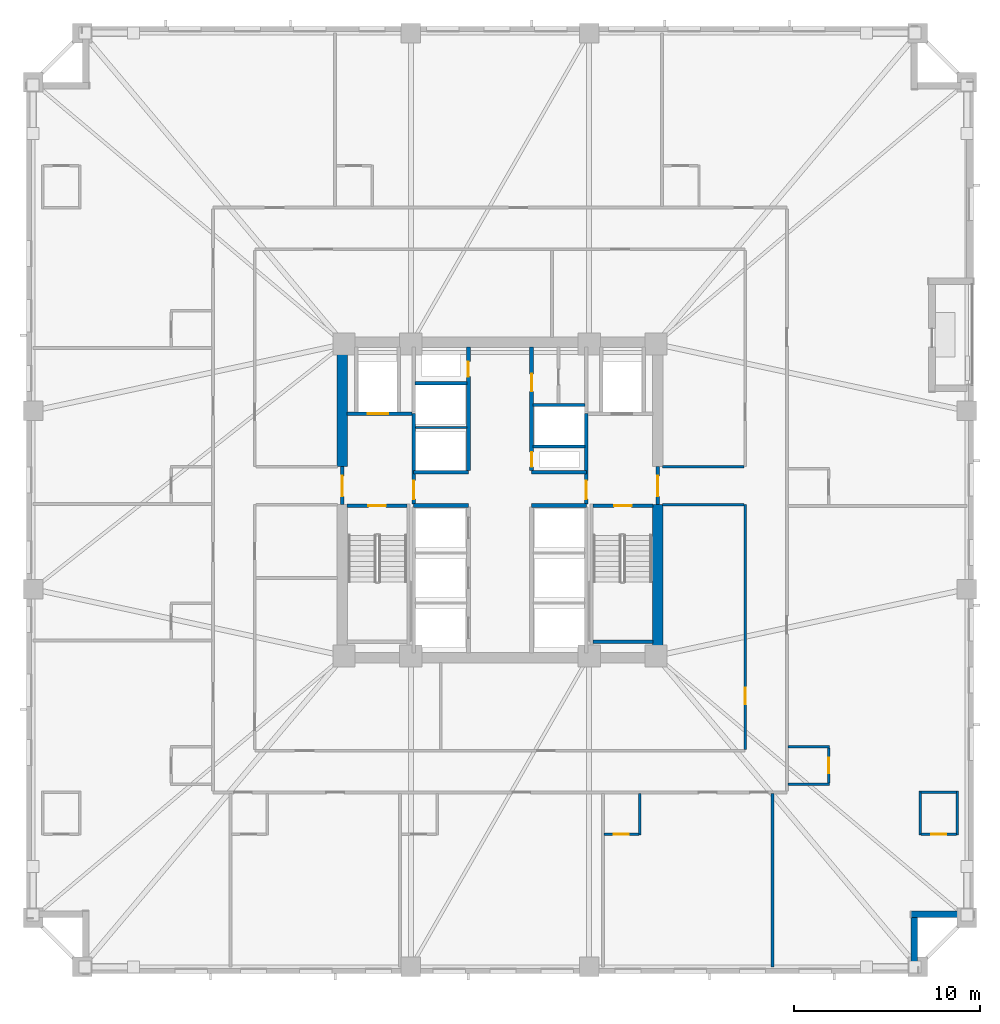
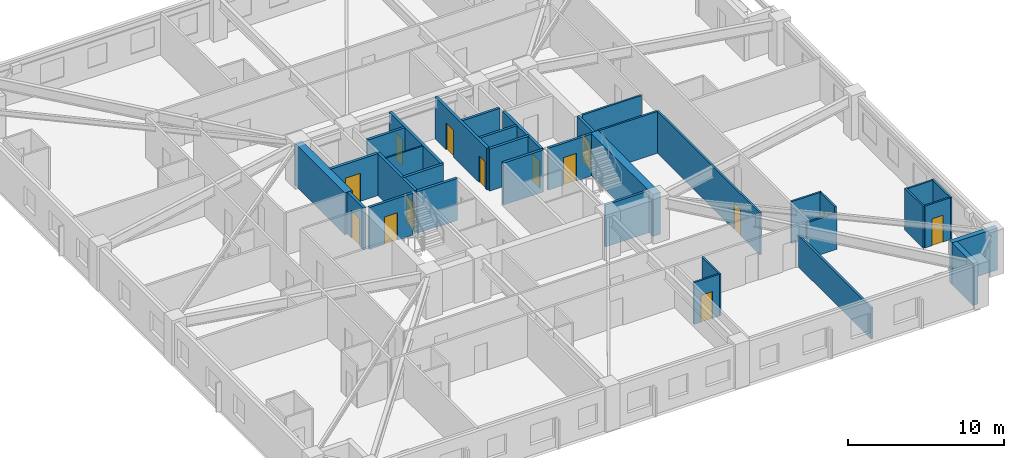
# One storey, part 4 of 11: 35 walls, 14 doors, 14 openings.
"""IFC4 building model written with IfcOpenShell, lengths in metres."""

from ifc_helpers import new_model, si_unit, direction, frame, frame_2d, origin, place, context, subcontext, project, spatial, rectangle, extrude, material, layer, layer_set, type_object, element, fill, save


model = new_model("IFC4")

# Units and contexts
model_context = context("Model", 3, precision=1e-05, world=origin(), true_north=direction((0.0, 1.0)))
body_context = subcontext(model_context, "Body", "Model", "MODEL_VIEW")
ifc_project = project(units=[si_unit("LENGTHUNIT", "METRE"), si_unit("AREAUNIT", "SQUARE_METRE"), si_unit("VOLUMEUNIT", "CUBIC_METRE"), si_unit("PLANEANGLEUNIT", "RADIAN"), si_unit("MASSUNIT", "GRAM", prefix="KILO")], contexts=[model_context])

# Site, building, storey
site_placement = place(None, origin())
site = spatial("IfcSite", under=ifc_project, at=site_placement, CompositionType="ELEMENT")
building_placement = place(site_placement, origin())
building = spatial("IfcBuilding", under=site, at=building_placement, Name="Cairnveth Concourse Tower", CompositionType="ELEMENT")
storey_placement = place(building_placement, frame((0.0, 0.0, 79.5)))
storey = spatial("IfcBuildingStorey", under=building, at=storey_placement, Name="L21", CompositionType="ELEMENT", Elevation=79.5)

# Walls
ifc_material_1 = material(Name="Gypsum Plasterboard Partition", Category="gypsum")
ifc_layer_1 = layer(ifc_material_1, 0.159912109375)
ifc_layer_set_1 = layer_set([ifc_layer_1], Name="Gypsum Plasterboard Partition")
wall_type_1 = type_object("IfcWallType", Name="ACOUSTIC PARTY WALL 180", PredefinedType="PARTITIONING", material=ifc_layer_set_1)
wall_1_placement = place(storey_placement, frame((66.68798828125, 13.844970703125, 0.0), z_axis=(0.0, 0.0, 1.0), x_axis=(0.0, 1.0, 0.0)))
element("IfcWall", 1, at=wall_1_placement, inside=storey, type_object=wall_type_1, Name="Interior Wall IW-L21-068", PredefinedType="PARTITIONING", context=body_context, shape_type="SweptSolid", body=[
    extrude(rectangle(XDim=9.340087890625, YDim=0.159912109375, at=frame_2d((4.669921875, 0.0))), origin(), (0.0, 0.0, 1.0), 2.43896484375),
])
ifc_material_2 = material(Name="Concrete N80 (80 MPa)", Category="concrete")
ifc_layer_2 = layer(ifc_material_2, 0.550048828125)
ifc_layer_set_2 = layer_set([ifc_layer_2], Name="Concrete N80 (80 MPa)")
wall_type_2 = type_object("IfcWallType", Name="CORE SHEAR WALL 550", PredefinedType="SHEAR", material=ifc_layer_set_2)
wall_2_placement = place(storey_placement, frame((43.5, 40.800048828125, 0.0), z_axis=(0.0, 0.0, 1.0), x_axis=(0.0, 1.0, 0.0)))
element("IfcWall", 2, at=wall_2_placement, inside=storey, type_object=wall_type_2, Name="Core West Shear Wall N L21", PredefinedType="SHEAR", context=body_context, shape_type="SweptSolid", body=[
    extrude(rectangle(XDim=6.43505859375, YDim=0.550048828125, at=frame_2d((3.217529296875, 0.0))), origin(), (0.0, 0.0, 1.0), 3.280029296875),
])
wall_3_placement = place(storey_placement, frame((60.5, 30.764892578125, 0.0), z_axis=(0.0, 0.0, 1.0), x_axis=(0.0, 1.0, 0.0)))
element("IfcWall", 3, at=wall_3_placement, inside=storey, type_object=wall_type_2, Name="Core East Shear Wall S L21", PredefinedType="SHEAR", context=body_context, shape_type="SweptSolid", body=[
    extrude(rectangle(XDim=7.985107421875, YDim=0.550048828125, at=frame_2d((3.99267578125, 0.0))), origin(), (0.0, 0.0, 1.0), 3.280029296875),
])
ifc_material_3 = material(Name="Concrete N50 (50 MPa)", Category="concrete")
ifc_layer_3 = layer(ifc_material_3, 0.179931640625)
ifc_layer_set_3 = layer_set([ifc_layer_3], Name="Concrete N50 (50 MPa)")
wall_type_3 = type_object("IfcWallType", Name="FIRE SHAFT WALL 180", PredefinedType="SOLIDWALL", material=ifc_layer_set_3)
wall_4_placement = place(storey_placement, frame((47.425048828125, 45.280029296875, 0.0), z_axis=(0.0, 0.0, 1.0), x_axis=(1.0, 0.0, 0.0)))
element("IfcWall", 4, at=wall_4_placement, inside=storey, type_object=wall_type_3, Name="Interior Wall IW-L21-033", PredefinedType="SOLIDWALL", context=body_context, shape_type="SweptSolid", body=[
    extrude(rectangle(XDim=2.7900390625, YDim=0.179931640625, at=frame_2d((1.39501953125, 0.0))), origin(), (0.0, 0.0, 1.0), 3.280029296875),
])
wall_5_placement = place(storey_placement, frame((53.784912109375, 41.8798828125, 0.0), z_axis=(0.0, 0.0, 1.0), x_axis=(1.0, 0.0, 0.0)))
element("IfcWall", 5, at=wall_5_placement, inside=storey, type_object=wall_type_3, Name="Interior Wall IW-L21-035", PredefinedType="SOLIDWALL", context=body_context, shape_type="SweptSolid", body=[
    extrude(rectangle(XDim=2.780029296875, YDim=0.179931640625, at=frame_2d((1.39013671875, 0.0))), origin(), (0.0, 0.0, 1.0), 3.280029296875),
])
wall_6_placement = place(storey_placement, frame((53.784912109375, 44.1201171875, 0.0), z_axis=(0.0, 0.0, 1.0), x_axis=(1.0, 0.0, 0.0)))
element("IfcWall", 6, at=wall_6_placement, inside=storey, type_object=wall_type_3, Name="Interior Wall IW-L21-036", PredefinedType="SOLIDWALL", context=body_context, shape_type="SweptSolid", body=[
    extrude(rectangle(XDim=2.7900390625, YDim=0.179931640625, at=frame_2d((1.39501953125, 0.0))), origin(), (0.0, 0.0, 1.0), 3.280029296875),
])

# Wall, opening, door
wall_7_placement = place(storey_placement, frame((43.764892578125, 38.68994140625, 0.0), z_axis=(0.0, 0.0, 1.0), x_axis=(1.0, 0.0, 0.0)))
wall_7 = element("IfcWall", 7, at=wall_7_placement, inside=storey, type_object=wall_type_3, Name="Stair ST-1 Shaft Wall NEAR L21", PredefinedType="SOLIDWALL", context=body_context, shape_type="SweptSolid", body=[
    extrude(rectangle(XDim=3.230224609375, YDim=0.179931640625, at=frame_2d((1.615234375, 0.0))), origin(), (0.0, 0.0, 1.0), 3.280029296875),
])
opening_1_placement = place(wall_7_placement, frame((1.139892578125, 0.0, 0.0)))
opening_1 = element("IfcOpeningElement", 8, at=opening_1_placement, cuts=wall_7, Name="Opening ID12", PredefinedType="OPENING", context=body_context, shape_type="SweptSolid", body=[
    extrude(rectangle(XDim=0.949951171875, YDim=2.14990234375, at=frame_2d((0.47509765625, 1.074951171875))), frame((0.0, 0.099853515625, 0.0), z_axis=(0.0, -1.0, 0.0), x_axis=(1.0, 0.0, 0.0)), (0.0, 0.0, 1.0), 0.199951171875),
])
ifc_material_4 = material(Name="Steel Grade 350", Category="steel")
door_type_1 = type_object("IfcDoorType", Name="FIRE STAIR DOOR 950X2150", OperationType="NOTDEFINED", PredefinedType="DOOR", material=ifc_material_4)
door_1_placement = place(opening_1_placement, origin())
door_1 = element("IfcDoor", 9, at=door_1_placement, inside=storey, type_object=door_type_1, Name="Stair ST-1 Fire Door L21", OperationType="SINGLE_SWING_LEFT", OverallHeight=2.14990234375, OverallWidth=0.949951171875, PredefinedType="DOOR", context=body_context, shape_type="SweptSolid", body=[
    extrude(rectangle(XDim=0.949951171875, YDim=2.14990234375, at=frame_2d((0.47509765625, 1.074951171875))), frame((0.0, 0.02490234375, 0.0), z_axis=(0.0, -1.0, 0.0), x_axis=(1.0, 0.0, 0.0)), (0.0, 0.0, 1.0), 0.050048828125),
])
fill(opening_1, door_1)

wall_8_placement = place(storey_placement, frame((57.0048828125, 38.68994140625, 0.0), z_axis=(0.0, 0.0, 1.0), x_axis=(1.0, 0.0, 0.0)))
wall_8 = element("IfcWall", 10, at=wall_8_placement, inside=storey, type_object=wall_type_3, Name="Stair ST-2 Shaft Wall NEAR L21", PredefinedType="SOLIDWALL", context=body_context, shape_type="SweptSolid", body=[
    extrude(rectangle(XDim=3.230224609375, YDim=0.179931640625, at=frame_2d((1.615234375, 0.0))), origin(), (0.0, 0.0, 1.0), 3.280029296875),
])
opening_2_placement = place(wall_8_placement, frame((1.139892578125, 0.0, 0.0)))
opening_2 = element("IfcOpeningElement", 11, at=opening_2_placement, cuts=wall_8, Name="Opening ID12", PredefinedType="OPENING", context=body_context, shape_type="SweptSolid", body=[
    extrude(rectangle(XDim=0.949951171875, YDim=2.14990234375, at=frame_2d((0.47509765625, 1.074951171875))), frame((0.0, 0.099853515625, 0.0), z_axis=(0.0, -1.0, 0.0), x_axis=(1.0, 0.0, 0.0)), (0.0, 0.0, 1.0), 0.199951171875),
])
door_2_placement = place(opening_2_placement, origin())
door_2 = element("IfcDoor", 12, at=door_2_placement, inside=storey, type_object=door_type_1, Name="Stair ST-2 Fire Door L21", OperationType="SINGLE_SWING_RIGHT", OverallHeight=2.14990234375, OverallWidth=0.949951171875, PredefinedType="DOOR", context=body_context, shape_type="SweptSolid", body=[
    extrude(rectangle(XDim=0.949951171875, YDim=2.14990234375, at=frame_2d((0.47509765625, 1.074951171875))), frame((0.0, 0.02490234375, 0.0), z_axis=(0.0, -1.0, 0.0), x_axis=(1.0, 0.0, 0.0)), (0.0, 0.0, 1.0), 0.050048828125),
])
fill(opening_2, door_2)

# Walls
wall_9_placement = place(storey_placement, frame((57.0048828125, 31.360107421875, 0.0), z_axis=(0.0, 0.0, 1.0), x_axis=(1.0, 0.0, 0.0)))
element("IfcWall", 13, at=wall_9_placement, inside=storey, type_object=wall_type_3, Name="Stair ST-2 Shaft Wall FAR L21", PredefinedType="SOLIDWALL", context=body_context, shape_type="SweptSolid", body=[
    extrude(rectangle(XDim=3.230224609375, YDim=0.179931640625, at=frame_2d((1.615234375, 0.0))), origin(), (0.0, 0.0, 1.0), 3.280029296875),
])
ifc_layer_4 = layer(ifc_material_3, 0.199951171875)
ifc_layer_set_4 = layer_set([ifc_layer_4], Name="Concrete N50 (50 MPa)")
wall_type_4 = type_object("IfcWallType", Name="FIRE SHAFT WALL 200", PredefinedType="SOLIDWALL", material=ifc_layer_set_4)
for number, where, z_axis, x_axis, name in (
    (14, (47.35009765625, 38.699951171875, 0.0), (0.0, 0.0, 1.0), (1.0, 0.0, 0.0), "Interior Wall IW-L21-007"),
    (15, (47.35009765625, 40.5, 0.0), (0.0, 0.0, 1.0), (1.0, 0.0, 0.0), "Interior Wall IW-L21-008"),
    (16, (53.699951171875, 38.699951171875, 0.0), (0.0, 0.0, 1.0), (1.0, 0.0, 0.0), "Interior Wall IW-L21-009"),
    (17, (53.699951171875, 40.5, 0.0), (0.0, 0.0, 1.0), (1.0, 0.0, 0.0), "Interior Wall IW-L21-010"),
):
    element("IfcWall", number, at=place(storey_placement, frame(where, z_axis=z_axis, x_axis=x_axis)), inside=storey, type_object=wall_type_4, Name=name, PredefinedType="SOLIDWALL", context=body_context, shape_type="SweptSolid", body=[
        extrude(rectangle(XDim=2.949951171875, YDim=0.199951171875, at=frame_2d((1.47509765625, 0.0))), origin(), (0.0, 0.0, 1.0), 3.280029296875),
    ])

# Wall, opening, door
wall_10_placement = place(storey_placement, frame((50.300048828125, 40.5849609375, 0.0), z_axis=(0.0, 0.0, 1.0), x_axis=(0.0, 1.0, 0.0)))
wall_10 = element("IfcWall", 18, at=wall_10_placement, inside=storey, type_object=wall_type_4, Name="Interior Wall IW-L21-013", PredefinedType="SOLIDWALL", context=body_context, shape_type="SweptSolid", body=[
    extrude(rectangle(XDim=6.655029296875, YDim=0.199951171875, at=frame_2d((3.32763671875, 0.0))), origin(), (0.0, 0.0, 1.0), 3.280029296875),
])
opening_3_placement = place(wall_10_placement, frame((5.06494140625, 0.0, 0.0)))
opening_3 = element("IfcOpeningElement", 19, at=opening_3_placement, cuts=wall_10, Name="Opening ID24", PredefinedType="OPENING", context=body_context, shape_type="SweptSolid", body=[
    extrude(rectangle(XDim=0.800048828125, YDim=2.080078125, at=frame_2d((0.39990234375, 1.0400390625))), frame((0.0, 0.10986328125, 0.0), z_axis=(0.0, -1.0, 0.0), x_axis=(1.0, 0.0, 0.0)), (0.0, 0.0, 1.0), 0.219970703125),
])
door_type_2 = type_object("IfcDoorType", Name="RISER ACCESS DOOR 800X2100", OperationType="NOTDEFINED", PredefinedType="DOOR", material=ifc_material_4)
door_3_placement = place(opening_3_placement, origin())
door_3 = element("IfcDoor", 20, at=door_3_placement, inside=storey, type_object=door_type_2, Name="NW Electrical Riser Access Door L21", OperationType="SINGLE_SWING_RIGHT", OverallHeight=2.080078125, OverallWidth=0.800048828125, PredefinedType="DOOR", context=body_context, shape_type="SweptSolid", body=[
    extrude(rectangle(XDim=0.800048828125, YDim=2.080078125, at=frame_2d((0.39990234375, 1.0400390625))), frame((0.0, 0.02490234375, 0.0), z_axis=(0.0, -1.0, 0.0), x_axis=(1.0, 0.0, 0.0)), (0.0, 0.0, 1.0), 0.050048828125),
])
fill(opening_3, door_3)

# Wall, openings, doors
wall_11_placement = place(storey_placement, frame((53.699951171875, 40.5849609375, 0.0), z_axis=(0.0, 0.0, 1.0), x_axis=(0.0, 1.0, 0.0)))
wall_11 = element("IfcWall", 21, at=wall_11_placement, inside=storey, type_object=wall_type_4, Name="Interior Wall IW-L21-014", PredefinedType="SOLIDWALL", context=body_context, shape_type="SweptSolid", body=[
    extrude(rectangle(XDim=6.655029296875, YDim=0.199951171875, at=frame_2d((3.32763671875, 0.0))), origin(), (0.0, 0.0, 1.0), 3.280029296875),
])
opening_4_placement = place(wall_11_placement, frame((0.195068359375, 0.0, 0.0)))
opening_4 = element("IfcOpeningElement", 22, at=opening_4_placement, cuts=wall_11, Name="Opening ID24", PredefinedType="OPENING", context=body_context, shape_type="SweptSolid", body=[
    extrude(rectangle(XDim=0.800048828125, YDim=2.080078125, at=frame_2d((0.39990234375, 1.0400390625))), frame((0.0, 0.10986328125, 0.0), z_axis=(0.0, -1.0, 0.0), x_axis=(1.0, 0.0, 0.0)), (0.0, 0.0, 1.0), 0.219970703125),
])
opening_5_placement = place(wall_11_placement, frame((4.264892578125, 0.0, 0.0)))
opening_5 = element("IfcOpeningElement", 23, at=opening_5_placement, cuts=wall_11, Name="Opening ID25", PredefinedType="OPENING", context=body_context, shape_type="SweptSolid", body=[
    extrude(rectangle(XDim=0.949951171875, YDim=2.1201171875, at=frame_2d((0.47509765625, 1.06005859375))), frame((0.0, 0.10986328125, 0.0), z_axis=(0.0, -1.0, 0.0), x_axis=(1.0, 0.0, 0.0)), (0.0, 0.0, 1.0), 0.219970703125),
])
door_type_3 = type_object("IfcDoorType", Name="CORE ACCESSIBLE FIRE DOOR 950X2120", OperationType="NOTDEFINED", PredefinedType="DOOR", material=ifc_material_4)
door_4_placement = place(opening_5_placement, origin())
door_4 = element("IfcDoor", 24, at=door_4_placement, inside=storey, type_object=door_type_3, Name="Core NE Restroom Door L21", OperationType="SINGLE_SWING_RIGHT", OverallHeight=2.1201171875, OverallWidth=0.949951171875, PredefinedType="DOOR", context=body_context, shape_type="SweptSolid", body=[
    extrude(rectangle(XDim=0.949951171875, YDim=2.1201171875, at=frame_2d((0.47509765625, 1.06005859375))), frame((0.0, 0.02490234375, 0.0), z_axis=(0.0, -1.0, 0.0), x_axis=(1.0, 0.0, 0.0)), (0.0, 0.0, 1.0), 0.050048828125),
])
fill(opening_5, door_4)
door_5_placement = place(opening_4_placement, origin())
door_5 = element("IfcDoor", 25, at=door_5_placement, inside=storey, type_object=door_type_2, Name="Hydraulic Riser Door L21", OperationType="SINGLE_SWING_LEFT", OverallHeight=2.080078125, OverallWidth=0.800048828125, PredefinedType="DOOR", context=body_context, shape_type="SweptSolid", body=[
    extrude(rectangle(XDim=0.800048828125, YDim=2.080078125, at=frame_2d((0.39990234375, 1.0400390625))), frame((0.0, 0.02490234375, 0.0), z_axis=(0.0, -1.0, 0.0), x_axis=(1.0, 0.0, 0.0)), (0.0, 0.0, 1.0), 0.050048828125),
])
fill(opening_4, door_5)

# Wall, opening, door
wall_12_placement = place(storey_placement, frame((43.5, 38.75, 0.0), z_axis=(0.0, 0.0, 1.0), x_axis=(0.0, 1.0, 0.0)))
wall_12 = element("IfcWall", 26, at=wall_12_placement, inside=storey, type_object=wall_type_4, Name="Interior Wall IW-L21-015", PredefinedType="SOLIDWALL", context=body_context, shape_type="SweptSolid", body=[
    extrude(rectangle(XDim=2.050048828125, YDim=0.199951171875, at=frame_2d((1.02490234375, 0.0))), origin(), (0.0, 0.0, 1.0), 3.280029296875),
])
opening_6_placement = place(wall_12_placement, frame((0.449951171875, 0.0, 0.0)))
opening_6 = element("IfcOpeningElement", 27, at=opening_6_placement, cuts=wall_12, Name="Opening ID06", PredefinedType="OPENING", context=body_context, shape_type="SweptSolid", body=[
    extrude(rectangle(XDim=1.10009765625, YDim=2.14990234375, at=frame_2d((0.550048828125, 1.074951171875))), frame((0.0, 0.10986328125, 0.0), z_axis=(0.0, -1.0, 0.0), x_axis=(1.0, 0.0, 0.0)), (0.0, 0.0, 1.0), 0.219970703125),
])
door_type_4 = type_object("IfcDoorType", Name="FIRE CORRIDOR DOOR 1100X2150", OperationType="NOTDEFINED", PredefinedType="DOOR", material=ifc_material_4)
door_6_placement = place(opening_6_placement, origin())
door_6 = element("IfcDoor", 28, at=door_6_placement, inside=storey, type_object=door_type_4, Name="West Wing to FF Lobby Door L21", OperationType="SINGLE_SWING_LEFT", OverallHeight=2.14990234375, OverallWidth=1.10009765625, PredefinedType="DOOR", context=body_context, shape_type="SweptSolid", body=[
    extrude(rectangle(XDim=1.10009765625, YDim=2.14990234375, at=frame_2d((0.550048828125, 1.074951171875))), frame((0.0, 0.02490234375, 0.0), z_axis=(0.0, -1.0, 0.0), x_axis=(1.0, 0.0, 0.0)), (0.0, 0.0, 1.0), 0.050048828125),
])
fill(opening_6, door_6)

wall_13_placement = place(storey_placement, frame((47.35009765625, 38.784912109375, 0.0), z_axis=(0.0, 0.0, 1.0), x_axis=(0.0, 1.0, 0.0)))
wall_13 = element("IfcWall", 29, at=wall_13_placement, inside=storey, type_object=wall_type_4, Name="Interior Wall IW-L21-016", PredefinedType="SOLIDWALL", context=body_context, shape_type="SweptSolid", body=[
    extrude(rectangle(XDim=4.864990234375, YDim=0.199951171875, at=frame_2d((2.4326171875, 0.0))), origin(), (0.0, 0.0, 1.0), 3.280029296875),
])
opening_7_placement = place(wall_13_placement, frame((0.264892578125, 0.0, 0.0)))
opening_7 = element("IfcOpeningElement", 30, at=opening_7_placement, cuts=wall_13, Name="Opening ID07", PredefinedType="OPENING", context=body_context, shape_type="SweptSolid", body=[
    extrude(rectangle(XDim=1.0, YDim=2.14990234375, at=frame_2d((0.5, 1.074951171875))), frame((0.0, 0.10986328125, 0.0), z_axis=(0.0, -1.0, 0.0), x_axis=(1.0, 0.0, 0.0)), (0.0, 0.0, 1.0), 0.219970703125),
])
door_type_5 = type_object("IfcDoorType", Name="FIRE CORRIDOR DOOR 1000X2150", OperationType="NOTDEFINED", PredefinedType="DOOR", material=ifc_material_4)
door_7_placement = place(opening_7_placement, origin())
door_7 = element("IfcDoor", 31, at=door_7_placement, inside=storey, type_object=door_type_5, Name="FF Lobby West to Lift Lobby Door L21", OperationType="SINGLE_SWING_RIGHT", OverallHeight=2.14990234375, OverallWidth=1.0, PredefinedType="DOOR", context=body_context, shape_type="SweptSolid", body=[
    extrude(rectangle(XDim=1.0, YDim=2.14990234375, at=frame_2d((0.5, 1.074951171875))), frame((0.0, 0.02490234375, 0.0), z_axis=(0.0, -1.0, 0.0), x_axis=(1.0, 0.0, 0.0)), (0.0, 0.0, 1.0), 0.050048828125),
])
fill(opening_7, door_7)

wall_14_placement = place(storey_placement, frame((43.760009765625, 43.64990234375, 0.0), z_axis=(0.0, 0.0, 1.0), x_axis=(1.0, 0.0, 0.0)))
wall_14 = element("IfcWall", 32, at=wall_14_placement, inside=storey, type_object=wall_type_4, Name="Interior Wall IW-L21-017", PredefinedType="SOLIDWALL", context=body_context, shape_type="SweptSolid", body=[
    extrude(rectangle(XDim=3.5048828125, YDim=0.199951171875, at=frame_2d((1.75244140625, 0.0))), origin(), (0.0, 0.0, 1.0), 3.280029296875),
])
opening_8_placement = place(wall_14_placement, frame((1.110107421875, 0.0, 0.0)))
opening_8 = element("IfcOpeningElement", 33, at=opening_8_placement, cuts=wall_14, Name="Opening LD-1", PredefinedType="OPENING", context=body_context, shape_type="SweptSolid", body=[
    extrude(rectangle(XDim=1.10009765625, YDim=2.199951171875, at=frame_2d((0.550048828125, 1.10009765625))), frame((0.0, 0.10986328125, 0.0), z_axis=(0.0, -1.0, 0.0), x_axis=(1.0, 0.0, 0.0)), (0.0, 0.0, 1.0), 0.219970703125),
])
ifc_material_5 = material(Name="Architectural Bronze Anodised Aluminium 6063-T6", Category="aluminium")
door_type_6 = type_object("IfcDoorType", Name="LIFT LANDING DOOR 1100X2200", OperationType="SLIDING_TO_LEFT", PredefinedType="DOOR", material=ifc_material_5)
door_8_placement = place(opening_8_placement, origin())
door_8 = element("IfcDoor", 34, at=door_8_placement, inside=storey, type_object=door_type_6, Name="Lift FFL1 Landing Door L21", OperationType="SLIDING_TO_LEFT", OverallHeight=2.199951171875, OverallWidth=1.10009765625, PredefinedType="DOOR", context=body_context, shape_type="SweptSolid", body=[
    extrude(rectangle(XDim=1.10009765625, YDim=2.199951171875, at=frame_2d((0.550048828125, 1.10009765625))), frame((0.0, 0.02490234375, 0.0), z_axis=(0.0, -1.0, 0.0), x_axis=(1.0, 0.0, 0.0)), (0.0, 0.0, 1.0), 0.050048828125),
])
fill(opening_8, door_8)

wall_15_placement = place(storey_placement, frame((60.5, 38.75, 0.0), z_axis=(0.0, 0.0, 1.0), x_axis=(0.0, 1.0, 0.0)))
wall_15 = element("IfcWall", 35, at=wall_15_placement, inside=storey, type_object=wall_type_4, Name="Interior Wall IW-L21-020", PredefinedType="SOLIDWALL", context=body_context, shape_type="SweptSolid", body=[
    extrude(rectangle(XDim=2.050048828125, YDim=0.199951171875, at=frame_2d((1.02490234375, 0.0))), origin(), (0.0, 0.0, 1.0), 3.280029296875),
])
opening_9_placement = place(wall_15_placement, frame((0.449951171875, 0.0, 0.0)))
opening_9 = element("IfcOpeningElement", 36, at=opening_9_placement, cuts=wall_15, Name="Opening ID06", PredefinedType="OPENING", context=body_context, shape_type="SweptSolid", body=[
    extrude(rectangle(XDim=1.10009765625, YDim=2.14990234375, at=frame_2d((0.550048828125, 1.074951171875))), frame((0.0, 0.10986328125, 0.0), z_axis=(0.0, -1.0, 0.0), x_axis=(1.0, 0.0, 0.0)), (0.0, 0.0, 1.0), 0.219970703125),
])
door_9_placement = place(opening_9_placement, origin())
door_9 = element("IfcDoor", 37, at=door_9_placement, inside=storey, type_object=door_type_4, Name="East Wing to FF Lobby Door L21", OperationType="SINGLE_SWING_RIGHT", OverallHeight=2.14990234375, OverallWidth=1.10009765625, PredefinedType="DOOR", context=body_context, shape_type="SweptSolid", body=[
    extrude(rectangle(XDim=1.10009765625, YDim=2.14990234375, at=frame_2d((0.550048828125, 1.074951171875))), frame((0.0, 0.02490234375, 0.0), z_axis=(0.0, -1.0, 0.0), x_axis=(1.0, 0.0, 0.0)), (0.0, 0.0, 1.0), 0.050048828125),
])
fill(opening_9, door_9)

wall_16_placement = place(storey_placement, frame((56.64990234375, 38.784912109375, 0.0), z_axis=(0.0, 0.0, 1.0), x_axis=(0.0, 1.0, 0.0)))
wall_16 = element("IfcWall", 38, at=wall_16_placement, inside=storey, type_object=wall_type_4, Name="Interior Wall IW-L21-021", PredefinedType="SOLIDWALL", context=body_context, shape_type="SweptSolid", body=[
    extrude(rectangle(XDim=4.864990234375, YDim=0.199951171875, at=frame_2d((2.4326171875, 0.0))), origin(), (0.0, 0.0, 1.0), 3.280029296875),
])
opening_10_placement = place(wall_16_placement, frame((0.264892578125, 0.0, 0.0)))
opening_10 = element("IfcOpeningElement", 39, at=opening_10_placement, cuts=wall_16, Name="Opening ID07", PredefinedType="OPENING", context=body_context, shape_type="SweptSolid", body=[
    extrude(rectangle(XDim=1.0, YDim=2.14990234375, at=frame_2d((0.5, 1.074951171875))), frame((0.0, 0.10986328125, 0.0), z_axis=(0.0, -1.0, 0.0), x_axis=(1.0, 0.0, 0.0)), (0.0, 0.0, 1.0), 0.219970703125),
])
door_10_placement = place(opening_10_placement, origin())
door_10 = element("IfcDoor", 40, at=door_10_placement, inside=storey, type_object=door_type_5, Name="FF Lobby East to Lift Lobby Door L21", OperationType="SINGLE_SWING_LEFT", OverallHeight=2.14990234375, OverallWidth=1.0, PredefinedType="DOOR", context=body_context, shape_type="SweptSolid", body=[
    extrude(rectangle(XDim=1.0, YDim=2.14990234375, at=frame_2d((0.5, 1.074951171875))), frame((0.0, 0.02490234375, 0.0), z_axis=(0.0, -1.0, 0.0), x_axis=(1.0, 0.0, 0.0)), (0.0, 0.0, 1.0), 0.050048828125),
])
fill(opening_10, door_10)

ifc_layer_5 = layer(ifc_material_1, 0.139892578125)
ifc_layer_set_5 = layer_set([ifc_layer_5], Name="Gypsum Plasterboard Partition")
wall_type_5 = type_object("IfcWallType", Name="GYPSUM STUD PARTITION 140", PredefinedType="PARTITIONING", material=ifc_layer_set_5)
wall_17_placement = place(storey_placement, frame((65.199951171875, 25.554931640625, 0.0), z_axis=(0.0, 0.0, 1.0), x_axis=(0.0, 1.0, 0.0)))
wall_17 = element("IfcWall", 41, at=wall_17_placement, inside=storey, type_object=wall_type_5, Name="Interior Wall IW-L21-048", PredefinedType="PARTITIONING", context=body_context, shape_type="SweptSolid", body=[
    extrude(rectangle(XDim=13.195068359375, YDim=0.139892578125, at=frame_2d((6.59765625, 0.0))), origin(), (0.0, 0.0, 1.0), 3.280029296875),
])
opening_11_placement = place(wall_17_placement, frame((2.445068359375, 0.0, 0.0)))
opening_11 = element("IfcOpeningElement", 42, at=opening_11_placement, cuts=wall_17, Name="Opening ID18", PredefinedType="OPENING", context=body_context, shape_type="SweptSolid", body=[
    extrude(rectangle(XDim=0.8798828125, YDim=2.10009765625, at=frame_2d((0.43994140625, 1.050048828125))), frame((0.0, 0.079833984375, 0.0), z_axis=(0.0, -1.0, 0.0), x_axis=(1.0, 0.0, 0.0)), (0.0, 0.0, 1.0), 0.159912109375),
])
ifc_material_6 = material(Name="Solid Core Hardwood Timber Leaf", Category="wood")
door_type_7 = type_object("IfcDoorType", Name="INTERIOR SINGLE DOOR 880X2100", OperationType="NOTDEFINED", PredefinedType="DOOR", material=ifc_material_6)
door_11_placement = place(opening_11_placement, origin())
door_11 = element("IfcDoor", 43, at=door_11_placement, inside=storey, type_object=door_type_7, Name="Interior Door DR-L21-021", OperationType="SINGLE_SWING_LEFT", OverallHeight=2.10009765625, OverallWidth=0.8798828125, PredefinedType="DOOR", context=body_context, shape_type="SweptSolid", body=[
    extrude(rectangle(XDim=0.8798828125, YDim=2.10009765625, at=frame_2d((0.43994140625, 1.050048828125))), frame((0.0, 0.02490234375, 0.0), z_axis=(0.0, -1.0, 0.0), x_axis=(1.0, 0.0, 0.0)), (0.0, 0.0, 1.0), 0.050048828125),
])
fill(opening_11, door_11)

# Walls
for number, where, z_axis, x_axis, name in (
    (44, (60.760009765625, 38.75, 0.0), (0.0, 0.0, 1.0), (1.0, 0.0, 0.0), "Interior Wall IW-L21-050"),
    (45, (60.760009765625, 40.800048828125, 0.0), (0.0, 0.0, 1.0), (1.0, 0.0, 0.0), "Interior Wall IW-L21-051"),
):
    element("IfcWall", number, at=place(storey_placement, frame(where, z_axis=z_axis, x_axis=x_axis)), inside=storey, type_object=wall_type_5, Name=name, PredefinedType="PARTITIONING", context=body_context, shape_type="SweptSolid", body=[
        extrude(rectangle(XDim=4.385009765625, YDim=0.139892578125, at=frame_2d((2.1923828125, 0.0))), origin(), (0.0, 0.0, 1.0), 3.280029296875),
    ])
ifc_layer_6 = layer(ifc_material_1, 0.110107421875)
ifc_layer_set_6 = layer_set([ifc_layer_6], Name="Gypsum Plasterboard Partition")
wall_type_6 = type_object("IfcWallType", Name="SHAFT DIVIDER WALL 140", PredefinedType="PARTITIONING", material=ifc_layer_set_6)
wall_18_placement = place(storey_placement, frame((47.43505859375, 42.89990234375, 0.0), z_axis=(0.0, 0.0, 1.0), x_axis=(1.0, 0.0, 0.0)))
element("IfcWall", 46, at=wall_18_placement, inside=storey, type_object=wall_type_6, Name="Interior Wall IW-L21-032", PredefinedType="PARTITIONING", context=body_context, shape_type="SweptSolid", body=[
    extrude(rectangle(XDim=2.780029296875, YDim=0.110107421875, at=frame_2d((1.39013671875, 0.0))), origin(), (0.0, 0.0, 1.0), 3.280029296875),
])
ifc_layer_7 = layer(ifc_material_1, 0.1298828125)
ifc_layer_set_7 = layer_set([ifc_layer_7], Name="Gypsum Plasterboard Partition")
wall_type_7 = type_object("IfcWallType", Name="WET AREA PARTITION 140", PredefinedType="PLUMBINGWALL", material=ifc_layer_set_7)
wall_19_placement = place(storey_placement, frame((59.535888671875, 20.949951171875, 0.0), z_axis=(0.0, 0.0, 1.0), x_axis=(0.0, 1.0, 0.0)))
element("IfcWall", 47, at=wall_19_placement, inside=storey, type_object=wall_type_7, Name="Interior Wall IW-L21-066", PredefinedType="PLUMBINGWALL", context=body_context, shape_type="SweptSolid", body=[
    extrude(rectangle(XDim=2.235107421875, YDim=0.1298828125, at=frame_2d((1.11767578125, 0.0))), origin(), (0.0, 0.0, 1.0), 3.280029296875),
])

# Wall, opening, door
wall_20_placement = place(storey_placement, frame((57.60107421875, 21.0, 0.0), z_axis=(0.0, 0.0, 1.0), x_axis=(1.0, 0.0, 0.0)))
wall_20 = element("IfcWall", 48, at=wall_20_placement, inside=storey, type_object=wall_type_7, Name="Interior Wall IW-L21-067", PredefinedType="PLUMBINGWALL", context=body_context, shape_type="SweptSolid", body=[
    extrude(rectangle(XDim=1.885009765625, YDim=0.1298828125, at=frame_2d((0.9423828125, 0.0))), origin(), (0.0, 0.0, 1.0), 3.280029296875),
])
opening_12_placement = place(wall_20_placement, frame((0.52490234375, 0.0, 0.0)))
opening_12 = element("IfcOpeningElement", 49, at=opening_12_placement, cuts=wall_20, Name="Opening ID22", PredefinedType="OPENING", context=body_context, shape_type="SweptSolid", body=[
    extrude(rectangle(XDim=0.820068359375, YDim=2.10009765625, at=frame_2d((0.41015625, 1.050048828125))), frame((0.0, 0.074951171875, 0.0), z_axis=(0.0, -1.0, 0.0), x_axis=(1.0, 0.0, 0.0)), (0.0, 0.0, 1.0), 0.14990234375),
])
door_type_8 = type_object("IfcDoorType", Name="INTERIOR WC DOOR 820X2100", OperationType="NOTDEFINED", PredefinedType="DOOR", material=ifc_material_6)
door_12_placement = place(opening_12_placement, origin())
door_12 = element("IfcDoor", 50, at=door_12_placement, inside=storey, type_object=door_type_8, Name="En-Suite Door L21-S4", OperationType="SINGLE_SWING_LEFT", OverallHeight=2.10009765625, OverallWidth=0.820068359375, PredefinedType="DOOR", context=body_context, shape_type="SweptSolid", body=[
    extrude(rectangle(XDim=0.820068359375, YDim=2.10009765625, at=frame_2d((0.41015625, 1.050048828125))), frame((0.0, 0.02490234375, 0.0), z_axis=(0.0, -1.0, 0.0), x_axis=(1.0, 0.0, 0.0)), (0.0, 0.0, 1.0), 0.050048828125),
])
fill(opening_12, door_12)

# Walls
for number, where, z_axis, x_axis, name in (
    (51, (76.6298828125, 20.949951171875, 0.0), (0.0, 0.0, 1.0), (0.0, 1.0, 0.0), "Interior Wall IW-L21-069"),
    (52, (74.6298828125, 20.949951171875, 0.0), (0.0, 0.0, 1.0), (0.0, 1.0, 0.0), "Interior Wall IW-L21-070"),
):
    element("IfcWall", number, at=place(storey_placement, frame(where, z_axis=z_axis, x_axis=x_axis)), inside=storey, type_object=wall_type_7, Name=name, PredefinedType="PLUMBINGWALL", context=body_context, shape_type="SweptSolid", body=[
        extrude(rectangle(XDim=2.380126953125, YDim=0.1298828125, at=frame_2d((1.18994140625, 0.0))), origin(), (0.0, 0.0, 1.0), 3.280029296875),
    ])

# Wall, opening, door
wall_21_placement = place(storey_placement, frame((74.679931640625, 21.0, 0.0), z_axis=(0.0, 0.0, 1.0), x_axis=(1.0, 0.0, 0.0)))
wall_21 = element("IfcWall", 53, at=wall_21_placement, inside=storey, type_object=wall_type_7, Name="Interior Wall IW-L21-071", PredefinedType="PLUMBINGWALL", context=body_context, shape_type="SweptSolid", body=[
    extrude(rectangle(XDim=1.900146484375, YDim=0.1298828125, at=frame_2d((0.9501953125, 0.0))), origin(), (0.0, 0.0, 1.0), 3.280029296875),
])
opening_13_placement = place(wall_21_placement, frame((0.5400390625, 0.0, 0.0)))
opening_13 = element("IfcOpeningElement", 54, at=opening_13_placement, cuts=wall_21, Name="Opening ID22", PredefinedType="OPENING", context=body_context, shape_type="SweptSolid", body=[
    extrude(rectangle(XDim=0.820068359375, YDim=2.10009765625, at=frame_2d((0.41015625, 1.050048828125))), frame((0.0, 0.074951171875, 0.0), z_axis=(0.0, -1.0, 0.0), x_axis=(1.0, 0.0, 0.0)), (0.0, 0.0, 1.0), 0.14990234375),
])
door_13_placement = place(opening_13_placement, origin())
door_13 = element("IfcDoor", 55, at=door_13_placement, inside=storey, type_object=door_type_8, Name="En-Suite Door L21-S5", OperationType="SINGLE_SWING_LEFT", OverallHeight=2.10009765625, OverallWidth=0.820068359375, PredefinedType="DOOR", context=body_context, shape_type="SweptSolid", body=[
    extrude(rectangle(XDim=0.820068359375, YDim=2.10009765625, at=frame_2d((0.41015625, 1.050048828125))), frame((0.0, 0.02490234375, 0.0), z_axis=(0.0, -1.0, 0.0), x_axis=(1.0, 0.0, 0.0)), (0.0, 0.0, 1.0), 0.050048828125),
])
fill(opening_13, door_13)

# Walls
wall_22_placement = place(storey_placement, frame((74.679931640625, 23.25, 0.0), z_axis=(0.0, 0.0, 1.0), x_axis=(1.0, 0.0, 0.0)))
element("IfcWall", 56, at=wall_22_placement, inside=storey, type_object=wall_type_7, Name="Interior Wall IW-L21-072", PredefinedType="PLUMBINGWALL", context=body_context, shape_type="SweptSolid", body=[
    extrude(rectangle(XDim=1.900146484375, YDim=0.1298828125, at=frame_2d((0.9501953125, 0.0))), origin(), (0.0, 0.0, 1.0), 3.280029296875),
])
wall_23_placement = place(storey_placement, frame((67.514892578125, 23.699951171875, 0.0), z_axis=(0.0, 0.0, 1.0), x_axis=(1.0, 0.0, 0.0)))
element("IfcWall", 57, at=wall_23_placement, inside=storey, type_object=wall_type_7, Name="Interior Wall IW-L21-095", PredefinedType="PLUMBINGWALL", context=body_context, shape_type="SweptSolid", body=[
    extrude(rectangle(XDim=2.235107421875, YDim=0.1298828125, at=frame_2d((1.11767578125, 0.0))), origin(), (0.0, 0.0, 1.0), 2.84912109375),
])
wall_24_placement = place(storey_placement, frame((67.514892578125, 25.699951171875, 0.0), z_axis=(0.0, 0.0, 1.0), x_axis=(1.0, 0.0, 0.0)))
element("IfcWall", 58, at=wall_24_placement, inside=storey, type_object=wall_type_7, Name="Interior Wall IW-L21-096", PredefinedType="PLUMBINGWALL", context=body_context, shape_type="SweptSolid", body=[
    extrude(rectangle(XDim=2.235107421875, YDim=0.1298828125, at=frame_2d((1.11767578125, 0.0))), origin(), (0.0, 0.0, 1.0), 3.280029296875),
])

# Wall, opening, door
wall_25_placement = place(storey_placement, frame((69.699951171875, 23.75, 0.0), z_axis=(0.0, 0.0, 1.0), x_axis=(0.0, 1.0, 0.0)))
wall_25 = element("IfcWall", 59, at=wall_25_placement, inside=storey, type_object=wall_type_7, Name="Interior Wall IW-L21-097", PredefinedType="PLUMBINGWALL", context=body_context, shape_type="SweptSolid", body=[
    extrude(rectangle(XDim=1.89990234375, YDim=0.1298828125, at=frame_2d((0.949951171875, 0.0))), origin(), (0.0, 0.0, 1.0), 3.280029296875),
])
opening_14_placement = place(wall_25_placement, frame((0.5400390625, 0.0, 0.0)))
opening_14 = element("IfcOpeningElement", 60, at=opening_14_placement, cuts=wall_25, Name="Opening ID22", PredefinedType="OPENING", context=body_context, shape_type="SweptSolid", body=[
    extrude(rectangle(XDim=0.820068359375, YDim=2.10009765625, at=frame_2d((0.41015625, 1.050048828125))), frame((0.0, 0.074951171875, 0.0), z_axis=(0.0, -1.0, 0.0), x_axis=(1.0, 0.0, 0.0)), (0.0, 0.0, 1.0), 0.14990234375),
])
door_14_placement = place(opening_14_placement, origin())
door_14 = element("IfcDoor", 61, at=door_14_placement, inside=storey, type_object=door_type_8, Name="En-Suite Door L21-E1", OperationType="SINGLE_SWING_LEFT", OverallHeight=2.10009765625, OverallWidth=0.820068359375, PredefinedType="DOOR", context=body_context, shape_type="SweptSolid", body=[
    extrude(rectangle(XDim=0.820068359375, YDim=2.10009765625, at=frame_2d((0.41015625, 1.050048828125))), frame((0.0, 0.02490234375, 0.0), z_axis=(0.0, -1.0, 0.0), x_axis=(1.0, 0.0, 0.0)), (0.0, 0.0, 1.0), 0.050048828125),
])
fill(opening_14, door_14)

# Walls
ifc_material_7 = material(Name="Hawthorn Red-Ochre Fired Clay Brick Masonry", Category="masonry")
ifc_layer_8 = layer(ifc_material_7, 0.360107421875)
ifc_layer_set_8 = layer_set([ifc_layer_8], Name="Hawthorn Red-Ochre Fired Clay Brick Masonry")
wall_type_8 = type_object("IfcWallType", Name="ZONE 1 BRICK PIER SPANDREL WALL 360", PredefinedType="SOLIDWALL", material=ifc_layer_set_8)
wall_26_placement = place(storey_placement, frame((77.5, 16.679931640625, 0.0), z_axis=(0.0, 0.0, 1.0), x_axis=(-1.0, 0.0, 0.0)))
element("IfcWall", 62, at=wall_26_placement, inside=storey, type_object=wall_type_8, Name="Exterior Wall EW-L21-S01", PredefinedType="SOLIDWALL", context=body_context, shape_type="SweptSolid", body=[
    extrude(rectangle(XDim=3.360107421875, YDim=0.360107421875, at=frame_2d((1.68017578125, 0.0))), origin(), (0.0, 0.0, 1.0), 3.280029296875),
])
wall_27_placement = place(storey_placement, frame((74.320068359375, 16.52197265625, 0.0), z_axis=(0.0, 0.0, 1.0), x_axis=(0.0, -1.0, 0.0)))
element("IfcWall", 63, at=wall_27_placement, inside=storey, type_object=wall_type_8, Name="Exterior Wall EW-L21-S02", PredefinedType="SOLIDWALL", context=body_context, shape_type="SweptSolid", body=[
    extrude(rectangle(XDim=2.68408203125, YDim=0.360107421875, at=frame_2d((1.342041015625, 0.0))), origin(), (0.0, 0.0, 1.0), 3.280029296875),
])

save(model, "model.ifc")
